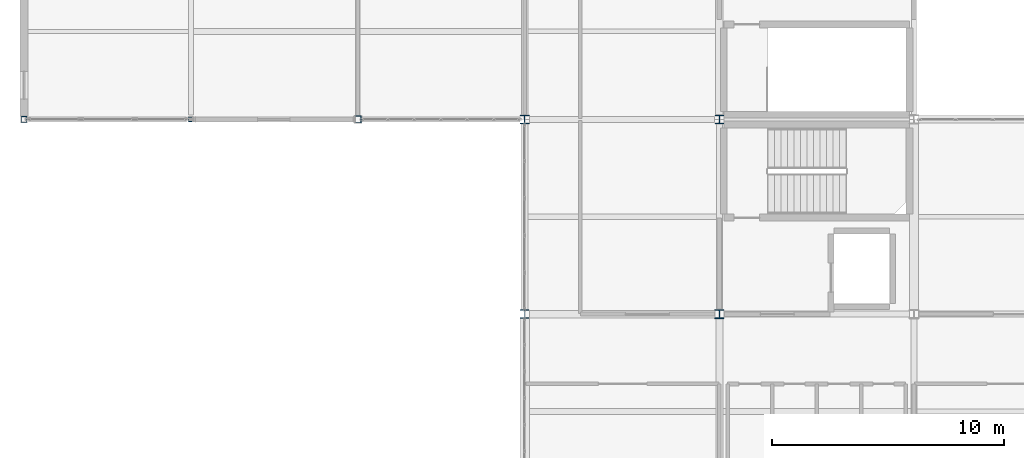
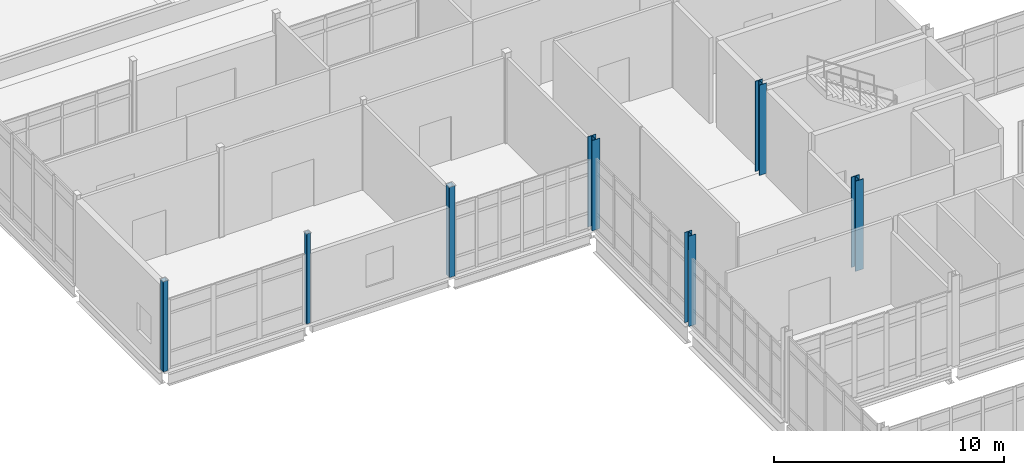
# One storey, part 2 of 186: 7 columns.
"""IFC4 building model written with IfcOpenShell, lengths in metres."""

from ifc_helpers import new_model, si_unit, direction, frame, origin, origin_2d, place, context, subcontext, project, spatial, hollow_rectangle, i_section, extrude, material, material_profile, profile_set, type_object, element, save


model = new_model("IFC4")

# Units and contexts
model_context = context("Model", 3, precision=1e-05, world=origin(), true_north=direction((0.0, 1.0)))
body_context = subcontext(model_context, "Body", "Model", "MODEL_VIEW")
ifc_project = project(units=[si_unit("LENGTHUNIT", "METRE"), si_unit("AREAUNIT", "SQUARE_METRE"), si_unit("VOLUMEUNIT", "CUBIC_METRE"), si_unit("PLANEANGLEUNIT", "RADIAN"), si_unit("MASSUNIT", "GRAM", prefix="KILO")], contexts=[model_context])

# Site, building, storey
site_placement = place(None, origin())
site = spatial("IfcSite", under=ifc_project, at=site_placement, CompositionType="ELEMENT")
building_placement = place(site_placement, origin())
building = spatial("IfcBuilding", under=site, at=building_placement, Name="Calvrana Isthmian Art Gallery", CompositionType="ELEMENT")
storey_placement = place(building_placement, frame((0.0, 0.0, 5.39990234375)))
storey = spatial("IfcBuildingStorey", under=building, at=storey_placement, Name="L01", CompositionType="ELEMENT", Elevation=5.39990234375)

# Columns
ifc_material_1 = material(Name="Steel ASTM A500 Gr C", Category="steel")
ifc_material_profile_1 = material_profile(ifc_material_1, hollow_rectangle(XDim=0.203125, YDim=0.203125, WallThickness=0.0126953125, OuterFilletRadius=0.02490234375, at=origin_2d()), Name="HSS203X203X12.7")
ifc_profile_set_1 = profile_set([ifc_material_profile_1], Name="Steel ASTM A500 Gr C")
column_type_1 = type_object("IfcColumnType", Name="COL-STL-HSS203X203X12.7", PredefinedType="COLUMN", material=ifc_profile_set_1)
column_1_placement = place(storey_placement, frame((7.199951171875, 46.800048828125, 0.0), z_axis=(0.0, 0.0, 1.0), x_axis=(1.0, 0.0, 0.0)))
element("IfcColumn", 1, at=column_1_placement, inside=storey, type_object=column_type_1, Name="Column 02/G L01", PredefinedType="COLUMN", context=body_context, shape_type="SweptSolid", body=[
    extrude(hollow_rectangle(XDim=0.203125, YDim=0.203125, WallThickness=0.0126953125, OuterFilletRadius=0.02490234375, at=origin_2d()), origin(), (0.0, 0.0, 1.0), 4.800048828125),
])
ifc_material_profile_2 = material_profile(ifc_material_1, hollow_rectangle(XDim=0.25390625, YDim=0.25390625, WallThickness=0.0126953125, OuterFilletRadius=0.02490234375, at=origin_2d()), Name="HSS254X254X12.7")
ifc_profile_set_2 = profile_set([ifc_material_profile_2], Name="Steel ASTM A500 Gr C")
column_type_2 = type_object("IfcColumnType", Name="COL-STL-HSS254X254X12.7", PredefinedType="COLUMN", material=ifc_profile_set_2)
column_2_placement = place(storey_placement, frame((0.0, 46.800048828125, 0.0), z_axis=(0.0, 0.0, 1.0), x_axis=(1.0, 0.0, 0.0)))
element("IfcColumn", 2, at=column_2_placement, inside=storey, type_object=column_type_2, Name="Column 01/G L01", PredefinedType="COLUMN", context=body_context, shape_type="SweptSolid", body=[
    extrude(hollow_rectangle(XDim=0.25390625, YDim=0.25390625, WallThickness=0.0126953125, OuterFilletRadius=0.02490234375, at=origin_2d()), origin(), (0.0, 0.0, 1.0), 4.800048828125),
])
ifc_material_profile_3 = material_profile(ifc_material_1, hollow_rectangle(XDim=0.3046875, YDim=0.3046875, WallThickness=0.015869140625, OuterFilletRadius=0.031982421875, at=origin_2d()), Name="HSS305X305X15.9")
ifc_profile_set_3 = profile_set([ifc_material_profile_3], Name="Steel ASTM A500 Gr C")
column_type_3 = type_object("IfcColumnType", Name="COL-STL-HSS305X305X15.9", PredefinedType="COLUMN", material=ifc_profile_set_3)
column_3_placement = place(storey_placement, frame((14.39990234375, 46.800048828125, 0.0), z_axis=(0.0, 0.0, 1.0), x_axis=(1.0, 0.0, 0.0)))
element("IfcColumn", 3, at=column_3_placement, inside=storey, type_object=column_type_3, Name="Column 03/G L01", PredefinedType="COLUMN", context=body_context, shape_type="SweptSolid", body=[
    extrude(hollow_rectangle(XDim=0.3046875, YDim=0.3046875, WallThickness=0.015869140625, OuterFilletRadius=0.031982421875, at=origin_2d()), origin(), (0.0, 0.0, 1.0), 4.800048828125),
])
ifc_material_2 = material(Name="Steel ASTM A992 Gr 50", Category="steel")
ifc_material_profile_4 = material_profile(ifc_material_2, i_section(OverallWidth=0.373046875, OverallDepth=0.373046875, WebThickness=0.016357421875, FlangeThickness=0.026123046875, FilletRadius=0.02490234375, at=origin_2d()), Name="W14X132")
ifc_profile_set_4 = profile_set([ifc_material_profile_4], Name="Steel ASTM A992 Gr 50")
column_type_4 = type_object("IfcColumnType", Name="COL-STL-W14X132", PredefinedType="COLUMN", material=ifc_profile_set_4)
column_4_placement = place(storey_placement, frame((30.0, 46.800048828125, 0.0), z_axis=(0.0, 0.0, 1.0), x_axis=(1.0, 0.0, 0.0)))
element("IfcColumn", 4, at=column_4_placement, inside=storey, type_object=column_type_4, Name="Column 05/G L01", PredefinedType="COLUMN", context=body_context, shape_type="SweptSolid", body=[
    extrude(i_section(OverallWidth=0.373046875, OverallDepth=0.373046875, WebThickness=0.016357421875, FlangeThickness=0.026123046875, FilletRadius=0.02490234375, at=origin_2d()), origin(), (0.0, 0.0, 1.0), 4.800048828125),
])
ifc_material_profile_5 = material_profile(ifc_material_2, i_section(OverallWidth=0.39404296875, OverallDepth=0.3759765625, WebThickness=0.017333984375, FlangeThickness=0.027587890625, FilletRadius=0.02490234375, at=origin_2d()), Name="W14X145")
ifc_profile_set_5 = profile_set([ifc_material_profile_5], Name="Steel ASTM A992 Gr 50")
column_type_5 = type_object("IfcColumnType", Name="COL-STL-W14X145", PredefinedType="COLUMN", material=ifc_profile_set_5)
column_5_placement = place(storey_placement, frame((21.60009765625, 46.800048828125, 0.0), z_axis=(0.0, 0.0, 1.0), x_axis=(1.0, 0.0, 0.0)))
element("IfcColumn", 5, at=column_5_placement, inside=storey, type_object=column_type_5, Name="Column 04/G L01", PredefinedType="COLUMN", context=body_context, shape_type="SweptSolid", body=[
    extrude(i_section(OverallWidth=0.39404296875, OverallDepth=0.3759765625, WebThickness=0.017333984375, FlangeThickness=0.027587890625, FilletRadius=0.02490234375, at=origin_2d()), origin(), (0.0, 0.0, 1.0), 4.800048828125),
])
ifc_material_profile_6 = material_profile(ifc_material_2, i_section(OverallWidth=0.39892578125, OverallDepth=0.385986328125, WebThickness=0.02099609375, FlangeThickness=0.033203125, FilletRadius=0.02490234375, at=origin_2d()), Name="W14X176")
ifc_profile_set_6 = profile_set([ifc_material_profile_6], Name="Steel ASTM A992 Gr 50")
column_type_6 = type_object("IfcColumnType", Name="COL-STL-W14X176", PredefinedType="COLUMN", material=ifc_profile_set_6)
column_6_placement = place(storey_placement, frame((30.0, 38.39990234375, 0.0), z_axis=(0.0, 0.0, 1.0), x_axis=(1.0, 0.0, 0.0)))
element("IfcColumn", 6, at=column_6_placement, inside=storey, type_object=column_type_6, Name="Column 05/F L01", PredefinedType="COLUMN", context=body_context, shape_type="SweptSolid", body=[
    extrude(i_section(OverallWidth=0.39892578125, OverallDepth=0.385986328125, WebThickness=0.02099609375, FlangeThickness=0.033203125, FilletRadius=0.02490234375, at=origin_2d()), origin(), (0.0, 0.0, 1.0), 4.800048828125),
])
ifc_material_profile_7 = material_profile(ifc_material_2, i_section(OverallWidth=0.367919921875, OverallDepth=0.35595703125, WebThickness=0.01123046875, FlangeThickness=0.01806640625, FilletRadius=0.02490234375, at=origin_2d()), Name="W14X90")
ifc_profile_set_7 = profile_set([ifc_material_profile_7], Name="Steel ASTM A992 Gr 50")
column_type_7 = type_object("IfcColumnType", Name="COL-STL-W14X90", PredefinedType="COLUMN", material=ifc_profile_set_7)
column_7_placement = place(storey_placement, frame((21.60009765625, 38.39990234375, 0.0), z_axis=(0.0, 0.0, 1.0), x_axis=(1.0, 0.0, 0.0)))
element("IfcColumn", 7, at=column_7_placement, inside=storey, type_object=column_type_7, Name="Column 04/F L01", PredefinedType="COLUMN", context=body_context, shape_type="SweptSolid", body=[
    extrude(i_section(OverallWidth=0.367919921875, OverallDepth=0.35595703125, WebThickness=0.01123046875, FlangeThickness=0.01806640625, FilletRadius=0.02490234375, at=origin_2d()), origin(), (0.0, 0.0, 1.0), 4.800048828125),
])

save(model, "model.ifc")
